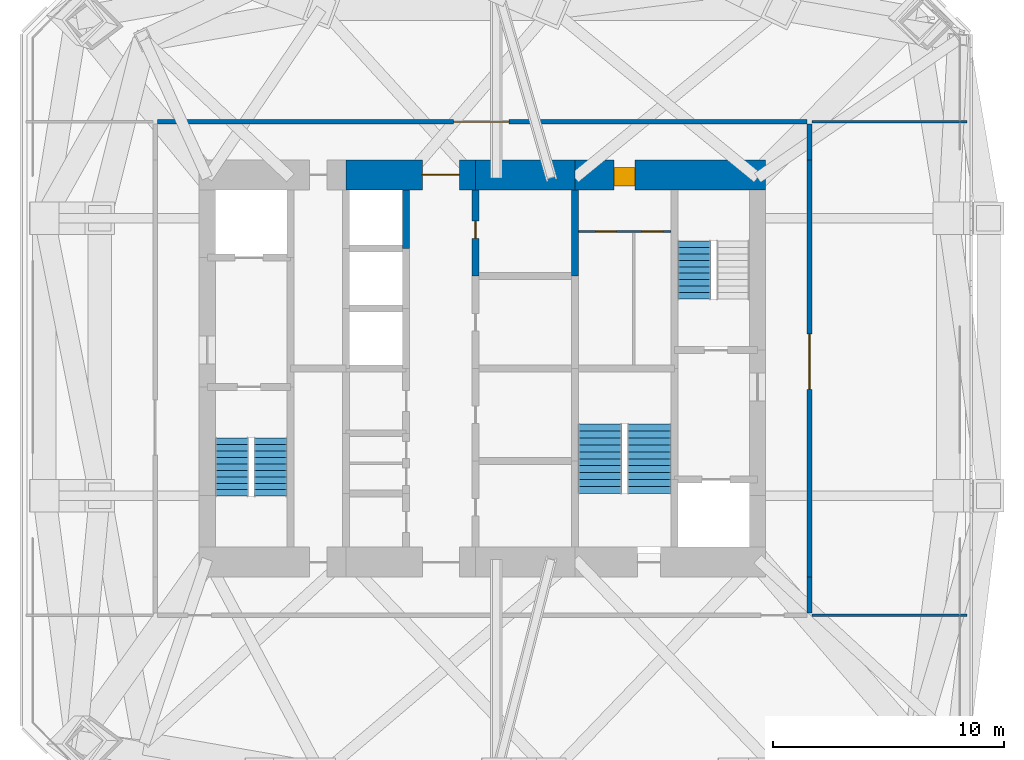
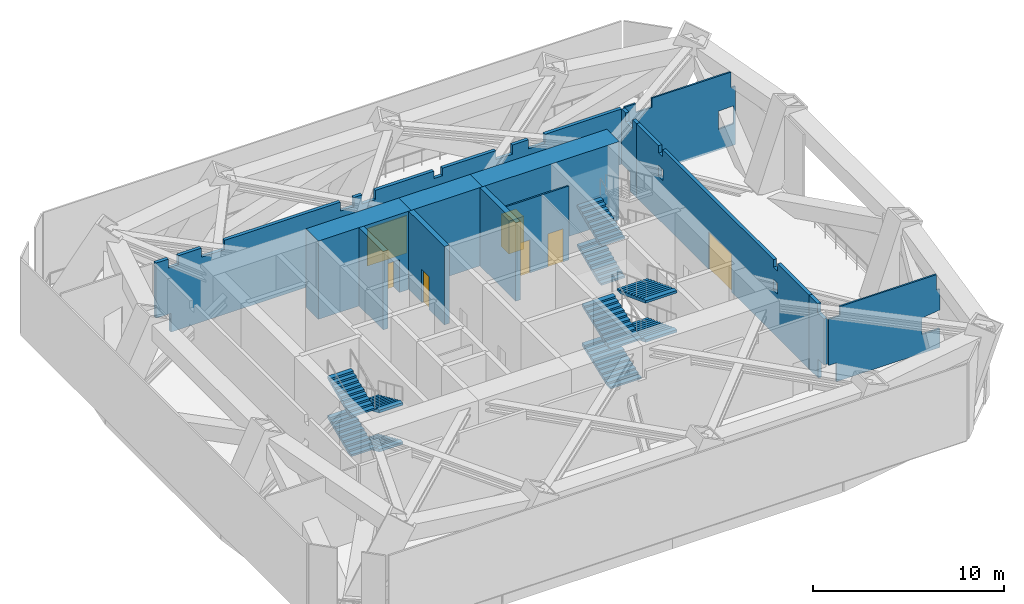
# One storey, part 5 of 8: 13 walls, 10 stair flights, 7 doors, 7 openings, 3 elements without a shape of their own.
"""IFC4 building model written with IfcOpenShell, lengths in metres."""

from ifc_helpers import new_model, si_unit, direction, frame, frame_2d, origin, place, context, subcontext, project, spatial, polyline, rectangle, outline, extrude, material, layer, layer_set, constituent, constituent_set, type_object, element, fill, aggregate, save


model = new_model("IFC4")

# Units and contexts
model_context = context("Model", 3, precision=1e-05, world=origin(), true_north=direction((0.0, 1.0)))
body_context = subcontext(model_context, "Body", "Model", "MODEL_VIEW")
ifc_project = project(units=[si_unit("LENGTHUNIT", "METRE"), si_unit("AREAUNIT", "SQUARE_METRE"), si_unit("VOLUMEUNIT", "CUBIC_METRE"), si_unit("PLANEANGLEUNIT", "RADIAN"), si_unit("MASSUNIT", "GRAM", prefix="KILO")], contexts=[model_context])

# Site, building, storey
site_placement = place(None, origin())
site = spatial("IfcSite", under=ifc_project, at=site_placement, CompositionType="ELEMENT")
building_placement = place(site_placement, origin())
building = spatial("IfcBuilding", under=site, at=building_placement, Name="Jalousie Tower", CompositionType="ELEMENT")
storey_placement = place(building_placement, frame((0.0, 0.0, 207.949951171875)))
storey = spatial("IfcBuildingStorey", under=building, at=storey_placement, Name="L57", CompositionType="ELEMENT", Elevation=207.949951171875)

# Wall, opening, door
ifc_material_1 = material(Name="Concrete f'c 120 MPa", Category="concrete")
ifc_layer_1 = layer(ifc_material_1, 1.300048828125)
ifc_layer_set_1 = layer_set([ifc_layer_1], Name="Concrete f'c 120 MPa")
wall_type_1 = type_object("IfcWallType", Name="CORE WALL 1300", PredefinedType="SHEAR", material=ifc_layer_set_1)
wall_1_placement = place(storey_placement, frame((44.14990234375, 26.875, 0.0), z_axis=(0.0, 0.0, 1.0), x_axis=(-1.0, 0.0, 0.0)))
wall_1 = element("IfcWall", 1, at=wall_1_placement, inside=storey, type_object=wall_type_1, Name="Core wall NA L57", PredefinedType="SHEAR", context=body_context, shape_type="SweptSolid", body=[
    extrude(rectangle(XDim=8.25, YDim=1.300048828125, at=frame_2d((4.125, 0.0))), origin(), (0.0, 0.0, 1.0), 5.0),
])
opening_1_placement = place(wall_1_placement, frame((5.64990234375, 0.0, 0.0)))
opening_1 = element("IfcOpeningElement", 2, at=opening_1_placement, cuts=wall_1, Name="Opening D25", PredefinedType="OPENING", context=body_context, shape_type="SweptSolid", body=[
    extrude(rectangle(XDim=0.89990234375, YDim=2.10009765625, at=frame_2d((0.449951171875, 1.050048828125))), frame((0.0, 0.659912109375, 0.0), z_axis=(0.0, -1.0, 0.0), x_axis=(1.0, 0.0, 0.0)), (0.0, 0.0, 1.0), 1.320068359375),
])
ifc_material_2 = material(Name="Steel fire door", Category="steel")
door_type_1 = type_object("IfcDoorType", Name="SERVICE LOBBY DOOR 900", OperationType="SINGLE_SWING_LEFT", PredefinedType="DOOR", material=ifc_material_2)
door_1_placement = place(opening_1_placement, origin())
door_1 = element("IfcDoor", 3, at=door_1_placement, inside=storey, type_object=door_type_1, Name="Service lobby door", OperationType="SINGLE_SWING_RIGHT", OverallHeight=2.10009765625, OverallWidth=0.89990234375, PredefinedType="DOOR", context=body_context, shape_type="SweptSolid", body=[
    extrude(rectangle(XDim=0.89990234375, YDim=2.10009765625, at=frame_2d((0.449951171875, 1.050048828125))), frame((0.0, 0.47021484375, 0.0), z_axis=(0.0, -1.0, 0.0), x_axis=(1.0, 0.0, 0.0)), (0.0, 0.0, 1.0), 0.800048828125),
])
fill(opening_1, door_1)

# Wall
wall_2_placement = place(storey_placement, frame((35.89990234375, 26.875, 0.0), z_axis=(0.0, 0.0, 1.0), x_axis=(-1.0, 0.0, 0.0)))
element("IfcWall", 4, at=wall_2_placement, inside=storey, type_object=wall_type_1, Name="Core wall NB L57", PredefinedType="SHEAR", context=body_context, shape_type="SweptSolid", body=[
    extrude(rectangle(XDim=4.2998046875, YDim=1.300048828125, at=frame_2d((2.14990234375, 0.0))), origin(), (0.0, 0.0, 1.0), 5.0),
])

# Wall, opening, door
wall_3_placement = place(storey_placement, frame((31.60009765625, 26.875, 0.0), z_axis=(0.0, 0.0, 1.0), x_axis=(-1.0, 0.0, 0.0)))
wall_3 = element("IfcWall", 5, at=wall_3_placement, inside=storey, type_object=wall_type_1, Name="Core wall NC L57", PredefinedType="SHEAR", context=body_context, shape_type="SweptSolid", body=[
    extrude(rectangle(XDim=5.60009765625, YDim=1.300048828125, at=frame_2d((2.800048828125, 0.0))), origin(), (0.0, 0.0, 1.0), 5.0),
])
opening_2_placement = place(wall_3_placement, frame((0.699951171875, 0.0, 0.0)))
opening_2 = element("IfcOpeningElement", 6, at=opening_2_placement, cuts=wall_3, Name="Opening D15", PredefinedType="OPENING", context=body_context, shape_type="SweptSolid", body=[
    extrude(rectangle(XDim=1.60009765625, YDim=2.10009765625, at=frame_2d((0.800048828125, 1.050048828125))), frame((0.0, 0.659912109375, 0.0), z_axis=(0.0, -1.0, 0.0), x_axis=(1.0, 0.0, 0.0)), (0.0, 0.0, 1.0), 1.320068359375),
])
ifc_material_3 = material(Name="Steel fire door", Category="steel")
door_type_2 = type_object("IfcDoorType", Name="LIFT LOBBY DOOR 1600", OperationType="DOUBLE_DOOR_SINGLE_SWING", PredefinedType="DOOR", material=ifc_material_3)
door_2_placement = place(opening_2_placement, origin())
door_2 = element("IfcDoor", 7, at=door_2_placement, inside=storey, type_object=door_type_2, Name="Lift lobby north door", OperationType="DOUBLE_DOOR_SINGLE_SWING", OverallHeight=2.10009765625, OverallWidth=1.60009765625, PredefinedType="DOOR", context=body_context, shape_type="SweptSolid", body=[
    extrude(rectangle(XDim=1.60009765625, YDim=2.10009765625, at=frame_2d((0.800048828125, 1.050048828125))), frame((0.0, 0.02490234375, 0.0), z_axis=(0.0, -1.0, 0.0), x_axis=(1.0, 0.0, 0.0)), (0.0, 0.0, 1.0), 0.050048828125),
])
fill(opening_2, door_2)

# Wall
ifc_material_4 = material(Name="Concrete f'c 120 MPa", Category="concrete")
ifc_layer_2 = layer(ifc_material_4, 0.300048828125)
ifc_layer_set_2 = layer_set([ifc_layer_2], Name="Concrete f'c 120 MPa")
wall_type_2 = type_object("IfcWallType", Name="CORE WALL 300", PredefinedType="SHEAR", material=ifc_layer_set_2)
wall_4_placement = place(storey_placement, frame((28.60009765625, 23.699951171875, 0.0), z_axis=(0.0, 0.0, 1.0), x_axis=(0.0, 1.0, 0.0)))
element("IfcWall", 8, at=wall_4_placement, inside=storey, type_object=wall_type_2, Name="Core wall X28.6F L57", PredefinedType="SHEAR", context=body_context, shape_type="SweptSolid", body=[
    extrude(rectangle(XDim=2.525146484375, YDim=0.300048828125, at=frame_2d((1.2626953125, 0.0))), origin(), (0.0, 0.0, 1.0), 5.0),
])

# Wall, opening, door
wall_5_placement = place(storey_placement, frame((31.60009765625, 22.5, 0.0), z_axis=(0.0, 0.0, 1.0), x_axis=(0.0, 1.0, 0.0)))
wall_5 = element("IfcWall", 9, at=wall_5_placement, inside=storey, type_object=wall_type_2, Name="Core wall X31.6D L57", PredefinedType="SHEAR", context=body_context, shape_type="SweptSolid", body=[
    extrude(rectangle(XDim=3.72509765625, YDim=0.300048828125, at=frame_2d((1.862548828125, 0.0))), origin(), (0.0, 0.0, 1.0), 5.0),
])
opening_3_placement = place(wall_5_placement, frame((1.625, 0.0, 0.0)))
opening_3 = element("IfcOpeningElement", 10, at=opening_3_placement, cuts=wall_5, Name="Opening D16", PredefinedType="OPENING", context=body_context, shape_type="SweptSolid", body=[
    extrude(rectangle(XDim=0.75, YDim=2.10009765625, at=frame_2d((0.375, 1.050048828125))), frame((0.0, 0.159912109375, 0.0), z_axis=(0.0, -1.0, 0.0), x_axis=(1.0, 0.0, 0.0)), (0.0, 0.0, 1.0), 0.320068359375),
])
ifc_material_5 = material(Name="Steel fire door", Category="steel")
door_type_3 = type_object("IfcDoorType", Name="RISER DOOR 750", OperationType="SINGLE_SWING_LEFT", PredefinedType="DOOR", material=ifc_material_5)
door_3_placement = place(opening_3_placement, frame((0.75, 0.0, 0.0), z_axis=(0.0, 0.0, 1.0), x_axis=(-1.0, 0.0, 0.0)))
door_3 = element("IfcDoor", 11, at=door_3_placement, inside=storey, type_object=door_type_3, Name="Water Services Room door", OperationType="SINGLE_SWING_LEFT", OverallHeight=2.10009765625, OverallWidth=0.75, PredefinedType="DOOR", context=body_context, shape_type="SweptSolid", body=[
    extrude(rectangle(XDim=0.75, YDim=2.10009765625, at=frame_2d((0.375, 1.050048828125))), frame((0.0, 0.02490234375, 0.0), z_axis=(0.0, -1.0, 0.0), x_axis=(1.0, 0.0, 0.0)), (0.0, 0.0, 1.0), 0.050048828125),
])
fill(opening_3, door_3)

# Walls
wall_6_placement = place(storey_placement, frame((35.89990234375, 22.5, 0.0), z_axis=(0.0, 0.0, 1.0), x_axis=(0.0, 1.0, 0.0)))
element("IfcWall", 12, at=wall_6_placement, inside=storey, type_object=wall_type_2, Name="Core wall X35.9D L57", PredefinedType="SHEAR", context=body_context, shape_type="SweptSolid", body=[
    extrude(rectangle(XDim=3.72509765625, YDim=0.300048828125, at=frame_2d((1.862548828125, 0.0))), origin(), (0.0, 0.0, 1.0), 5.0),
])
ifc_material_6 = material(Name="Concrete block ASTM C90", Category="concrete")
ifc_constituent_1 = constituent(ifc_material_6, Name="Body")
ifc_material_7 = material(Name="Render")
ifc_constituent_2 = constituent(ifc_material_7, Name="Finish")
ifc_constituent_set_1 = constituent_set(constituents=[ifc_constituent_1, ifc_constituent_2])
wall_type_3 = type_object("IfcWallType", Name="CORRIDOR WALL 200", PredefinedType="PARTITIONING", material=ifc_constituent_set_1)
wall_7_placement = place(storey_placement, frame((46.050048828125, 7.925048828125, 0.0), z_axis=(0.0, 0.0, 1.0), x_axis=(0.0, 1.0, 0.0)))
element("IfcWall", 13, at=wall_7_placement, inside=storey, type_object=wall_type_3, Name="Corridor Wall 200 L57", PredefinedType="PARTITIONING", context=body_context, shape_type="SweptSolid", body=[
    extrude(outline(polyline([(1.550048828125, 0.0), (1.550048828125, 4.719970703125), (0.66943359375, 4.719970703125), (0.66943359375, 4.140869140625), (0.0, 4.140869140625), (0.0, 1.199951171875), (0.608642578125, 1.199951171875), (0.608642578125, 0.0), (1.550048828125, 0.0)])), frame((0.0, 0.10009765625, 0.0), z_axis=(0.0, -1.0, 0.0), x_axis=(1.0, 0.0, 0.0)), (0.0, 0.0, 1.0), 0.199951171875),
])

# Wall, opening, door
wall_8_placement = place(storey_placement, frame((17.85009765625, 29.175048828125, 0.0), z_axis=(0.0, 0.0, 1.0), x_axis=(1.0, 0.0, 0.0)))
wall_8 = element("IfcWall", 14, at=wall_8_placement, inside=storey, type_object=wall_type_3, Name="Corridor Wall 200 L57", PredefinedType="PARTITIONING", context=body_context, shape_type="SweptSolid", body=[
    extrude(outline(polyline([(28.10009765625, 1.199951171875), (28.10009765625, 4.719970703125), (23.48046875, 4.719970703125), (23.48046875, 4.140869140625), (22.489990234375, 4.140869140625), (22.489990234375, 4.719970703125), (21.505615234375, 4.719970703125), (21.505615234375, 4.140869140625), (20.515869140625, 4.140869140625), (20.515869140625, 4.719970703125), (17.281494140625, 4.719970703125), (17.281494140625, 4.2451171875), (16.7685546875, 4.2451171875), (16.7685546875, 4.719970703125), (13.23193359375, 4.719970703125), (13.23193359375, 4.140869140625), (12.43701171875, 4.140869140625), (12.43701171875, 4.719970703125), (11.94775390625, 4.719970703125), (11.94775390625, 4.140869140625), (11.125732421875, 4.140869140625), (11.125732421875, 4.719970703125), (4.14306640625, 4.719970703125), (4.14306640625, 4.140869140625), (2.733154296875, 4.140869140625), (2.733154296875, 4.719970703125), (1.349853515625, 4.719970703125), (1.349853515625, 4.140869140625), (0.739501953125, 4.140869140625), (0.739501953125, 4.719970703125), (0.0, 4.719970703125), (0.0, 1.199951171875), (0.892333984375, 1.199951171875), (0.892333984375, 0.0), (27.5537109375, 0.0), (27.5537109375, 1.199951171875), (28.10009765625, 1.199951171875)]), holes=[polyline([(16.10595703125, 3.277587890625), (16.61669921875, 3.359130859375), (16.61669921875, 2.854736328125), (16.556396484375, 2.7275390625), (16.04541015625, 2.646240234375), (16.04541015625, 3.150390625), (16.10595703125, 3.277587890625)])]), frame((0.0, 0.10009765625, 0.0), z_axis=(0.0, -1.0, 0.0), x_axis=(1.0, 0.0, 0.0)), (0.0, 0.0, 1.0), 0.199951171875),
])
opening_4_placement = place(wall_8_placement, frame((12.800048828125, 0.0, 0.0)))
opening_4 = element("IfcOpeningElement", 15, at=opening_4_placement, cuts=wall_8, Name="Opening D9", PredefinedType="OPENING", context=body_context, shape_type="SweptSolid", body=[
    extrude(rectangle(XDim=2.39990234375, YDim=2.39990234375, at=frame_2d((1.199951171875, 1.199951171875))), frame((0.0, 0.10986328125, 0.0), z_axis=(0.0, -1.0, 0.0), x_axis=(1.0, 0.0, 0.0)), (0.0, 0.0, 1.0), 0.219970703125),
])
ifc_material_8 = material(Name="Steel fire door", Category="steel")
door_type_4 = type_object("IfcDoorType", Name="PLANT DOOR 2400", OperationType="DOUBLE_DOOR_SINGLE_SWING", PredefinedType="DOOR", material=ifc_material_8)
door_4_placement = place(opening_4_placement, origin())
door_4 = element("IfcDoor", 16, at=door_4_placement, inside=storey, type_object=door_type_4, Name="Mechanical plant room door", OperationType="DOUBLE_DOOR_SINGLE_SWING", OverallHeight=2.39990234375, OverallWidth=2.39990234375, PredefinedType="DOOR", context=body_context, shape_type="SweptSolid", body=[
    extrude(rectangle(XDim=2.39990234375, YDim=2.39990234375, at=frame_2d((1.199951171875, 1.199951171875))), frame((0.0, 0.02490234375, 0.0), z_axis=(0.0, -1.0, 0.0), x_axis=(1.0, 0.0, 0.0)), (0.0, 0.0, 1.0), 0.050048828125),
])
fill(opening_4, door_4)

# Wall
wall_9_placement = place(storey_placement, frame((46.050048828125, 27.52490234375, 0.0), z_axis=(0.0, 0.0, 1.0), x_axis=(0.0, 1.0, 0.0)))
element("IfcWall", 17, at=wall_9_placement, inside=storey, type_object=wall_type_3, Name="Corridor Wall 200 L57", PredefinedType="PARTITIONING", context=body_context, shape_type="SweptSolid", body=[
    extrude(outline(polyline([(1.550048828125, 1.199951171875), (1.550048828125, 4.719970703125), (1.130126953125, 4.719970703125), (1.130126953125, 4.140869140625), (0.418701171875, 4.140869140625), (0.418701171875, 4.719970703125), (0.0, 4.719970703125), (0.0, 0.0), (0.680908203125, 0.0), (0.680908203125, 1.199951171875), (1.550048828125, 1.199951171875)])), frame((0.0, 0.10009765625, 0.0), z_axis=(0.0, -1.0, 0.0), x_axis=(1.0, 0.0, 0.0)), (0.0, 0.0, 1.0), 0.199951171875),
])

# Wall, opening, door
wall_10_placement = place(storey_placement, frame((46.050048828125, 9.47509765625, 0.0), z_axis=(0.0, 0.0, 1.0), x_axis=(0.0, 1.0, 0.0)))
wall_10 = element("IfcWall", 18, at=wall_10_placement, inside=storey, type_object=wall_type_3, Name="Corridor Wall 200 L57", PredefinedType="PARTITIONING", context=body_context, shape_type="SweptSolid", body=[
    extrude(outline(polyline([(18.050048828125, 0.0), (18.050048828125, 4.719970703125), (15.737060546875, 4.719970703125), (15.737060546875, 4.2451171875), (15.31298828125, 4.2451171875), (15.31298828125, 4.719970703125), (3.737060546875, 4.719970703125), (3.737060546875, 4.2451171875), (3.31298828125, 4.2451171875), (3.31298828125, 4.719970703125), (0.0, 4.719970703125), (0.0, 0.0), (18.050048828125, 0.0)]), holes=[polyline([(3.302978515625, 2.7705078125), (3.302978515625, 3.46728515625), (3.7470703125, 3.46728515625), (3.7470703125, 2.7705078125), (3.302978515625, 2.7705078125)]), polyline([(15.302978515625, 2.7705078125), (15.302978515625, 3.46728515625), (15.7470703125, 3.46728515625), (15.7470703125, 2.7705078125), (15.302978515625, 2.7705078125)])]), frame((0.0, 0.10009765625, 0.0), z_axis=(0.0, -1.0, 0.0), x_axis=(1.0, 0.0, 0.0)), (0.0, 0.0, 1.0), 0.199951171875),
])
opening_5_placement = place(wall_10_placement, frame((8.125, 0.0, 0.0)))
opening_5 = element("IfcOpeningElement", 19, at=opening_5_placement, cuts=wall_10, Name="Opening D9", PredefinedType="OPENING", context=body_context, shape_type="SweptSolid", body=[
    extrude(rectangle(XDim=2.39990234375, YDim=2.39990234375, at=frame_2d((1.199951171875, 1.199951171875))), frame((0.0, 0.10986328125, 0.0), z_axis=(0.0, -1.0, 0.0), x_axis=(1.0, 0.0, 0.0)), (0.0, 0.0, 1.0), 0.219970703125),
])
door_5_placement = place(opening_5_placement, frame((2.39990234375, 0.0, 0.0), z_axis=(0.0, 0.0, 1.0), x_axis=(-1.0, 0.0, 0.0)))
door_5 = element("IfcDoor", 20, at=door_5_placement, inside=storey, type_object=door_type_4, Name="Water tank room door", OperationType="DOUBLE_DOOR_SINGLE_SWING", OverallHeight=2.39990234375, OverallWidth=2.39990234375, PredefinedType="DOOR", context=body_context, shape_type="SweptSolid", body=[
    extrude(rectangle(XDim=2.39990234375, YDim=2.39990234375, at=frame_2d((1.199951171875, 1.199951171875))), frame((0.0, 0.02490234375, 0.0), z_axis=(0.0, -1.0, 0.0), x_axis=(1.0, 0.0, 0.0)), (0.0, 0.0, 1.0), 0.050048828125),
])
fill(opening_5, door_5)

# Walls
ifc_material_9 = material(Name="Gypsum board", Category="gypsum")
ifc_constituent_3 = constituent(ifc_material_9, Name="Body")
ifc_material_10 = material(Name="Light-gauge steel studs ASTM A653 SS Grade 33", Category="steel")
ifc_constituent_4 = constituent(ifc_material_10, Name="Framing")
ifc_constituent_set_2 = constituent_set(constituents=[ifc_constituent_3, ifc_constituent_4])
wall_type_4 = type_object("IfcWallType", Name="PARTITION 100", PredefinedType="PARTITIONING", material=ifc_constituent_set_2)
wall_11_placement = place(storey_placement, frame((46.14990234375, 7.824951171875, 0.0), z_axis=(0.0, 0.0, 1.0), x_axis=(1.0, 0.0, 0.0)))
element("IfcWall", 21, at=wall_11_placement, inside=storey, type_object=wall_type_4, Name="Partition 100 L57", PredefinedType="PARTITIONING", context=body_context, shape_type="SweptSolid", body=[
    extrude(outline(polyline([(0.4580078125, 0.0), (6.699951171875, 0.0), (6.699951171875, 1.20263671875), (5.626220703125, 1.20263671875), (5.626220703125, 2.203857421875), (5.659912109375, 2.25732421875), (6.6142578125, 2.379150390625), (6.699951171875, 2.379150390625), (6.699951171875, 3.719970703125), (6.4990234375, 3.719970703125), (6.4990234375, 4.719970703125), (0.69140625, 4.719970703125), (0.69140625, 4.140869140625), (0.0, 4.140869140625), (0.0, 1.199951171875), (0.4580078125, 1.199951171875), (0.4580078125, 0.0)])), frame((0.0, 0.050048828125, 0.0), z_axis=(0.0, -1.0, 0.0), x_axis=(1.0, 0.0, 0.0)), (0.0, 0.0, 1.0), 0.10009765625),
])
wall_12_placement = place(storey_placement, frame((46.14990234375, 29.175048828125, 0.0), z_axis=(0.0, 0.0, 1.0), x_axis=(1.0, 0.0, 0.0)))
element("IfcWall", 22, at=wall_12_placement, inside=storey, type_object=wall_type_4, Name="Partition 100 L57", PredefinedType="PARTITIONING", context=body_context, shape_type="SweptSolid", body=[
    extrude(outline(polyline([(0.8115234375, 0.0), (6.699951171875, 0.0), (6.699951171875, 3.719970703125), (6.416259765625, 3.719970703125), (6.416259765625, 4.719970703125), (1.660400390625, 4.719970703125), (1.660400390625, 4.140869140625), (0.682373046875, 4.140869140625), (0.682373046875, 4.719970703125), (0.0, 4.719970703125), (0.0, 1.199951171875), (0.8115234375, 1.199951171875), (0.8115234375, 0.0)]), holes=[polyline([(5.664794921875, 1.328857421875), (5.664794921875, 2.4111328125), (5.671142578125, 2.4853515625), (6.591796875, 2.517822265625), (6.591796875, 1.435302734375), (6.58544921875, 1.361328125), (5.664794921875, 1.328857421875)])]), frame((0.0, 0.050048828125, 0.0), z_axis=(0.0, -1.0, 0.0), x_axis=(1.0, 0.0, 0.0)), (0.0, 0.0, 1.0), 0.10009765625),
])

# Wall, openings, doors
wall_13_placement = place(storey_placement, frame((36.050048828125, 24.425048828125, 0.0), z_axis=(0.0, 0.0, 1.0), x_axis=(1.0, 0.0, 0.0)))
wall_13 = element("IfcWall", 23, at=wall_13_placement, inside=storey, type_object=wall_type_4, Name="Partition 100 L57", PredefinedType="PARTITIONING", context=body_context, shape_type="SweptSolid", body=[
    extrude(rectangle(XDim=4.0, YDim=0.10009765625, at=frame_2d((2.0, 0.0))), origin(), (0.0, 0.0, 1.0), 4.719970703125),
])
opening_6_placement = place(wall_13_placement, frame((0.75, 0.0, 0.0)))
opening_6 = element("IfcOpeningElement", 24, at=opening_6_placement, cuts=wall_13, Name="Opening D7", PredefinedType="OPENING", context=body_context, shape_type="SweptSolid", body=[
    extrude(rectangle(XDim=0.89990234375, YDim=2.10009765625, at=frame_2d((0.449951171875, 1.050048828125))), frame((0.0, 0.06005859375, 0.0), z_axis=(0.0, -1.0, 0.0), x_axis=(1.0, 0.0, 0.0)), (0.0, 0.0, 1.0), 0.1201171875),
])
opening_7_placement = place(wall_13_placement, frame((2.75, 0.0, 0.0)))
opening_7 = element("IfcOpeningElement", 25, at=opening_7_placement, cuts=wall_13, Name="Opening D7", PredefinedType="OPENING", context=body_context, shape_type="SweptSolid", body=[
    extrude(rectangle(XDim=0.89990234375, YDim=2.10009765625, at=frame_2d((0.449951171875, 1.050048828125))), frame((0.0, 0.06005859375, 0.0), z_axis=(0.0, -1.0, 0.0), x_axis=(1.0, 0.0, 0.0)), (0.0, 0.0, 1.0), 0.1201171875),
])
ifc_material_11 = material(Name="Timber door", Category="wood")
door_type_5 = type_object("IfcDoorType", Name="INTERNAL DOOR 900", OperationType="SINGLE_SWING_LEFT", PredefinedType="DOOR", material=ifc_material_11)
door_6_placement = place(opening_6_placement, frame((0.89990234375, 0.0, 0.0), z_axis=(0.0, 0.0, 1.0), x_axis=(-1.0, 0.0, 0.0)))
door_6 = element("IfcDoor", 26, at=door_6_placement, inside=storey, type_object=door_type_5, Name="IT room door", OperationType="SINGLE_SWING_LEFT", OverallHeight=2.10009765625, OverallWidth=0.89990234375, PredefinedType="DOOR", context=body_context, shape_type="SweptSolid", body=[
    extrude(rectangle(XDim=0.89990234375, YDim=2.10009765625, at=frame_2d((0.449951171875, 1.050048828125))), frame((0.0, 0.02490234375, 0.0), z_axis=(0.0, -1.0, 0.0), x_axis=(1.0, 0.0, 0.0)), (0.0, 0.0, 1.0), 0.050048828125),
])
fill(opening_6, door_6)
door_7_placement = place(opening_7_placement, frame((0.89990234375, 0.0, 0.0), z_axis=(0.0, 0.0, 1.0), x_axis=(-1.0, 0.0, 0.0)))
door_7 = element("IfcDoor", 27, at=door_7_placement, inside=storey, type_object=door_type_5, Name="Staff WC door", OperationType="SINGLE_SWING_RIGHT", OverallHeight=2.10009765625, OverallWidth=0.89990234375, PredefinedType="DOOR", context=body_context, shape_type="SweptSolid", body=[
    extrude(rectangle(XDim=0.89990234375, YDim=2.10009765625, at=frame_2d((0.449951171875, 1.050048828125))), frame((0.0, 0.02490234375, 0.0), z_axis=(0.0, -1.0, 0.0), x_axis=(1.0, 0.0, 0.0)), (0.0, 0.0, 1.0), 0.050048828125),
])
fill(opening_7, door_7)

# Stair, stair flights
ifc_material_12 = material(Name="Concrete f'c 40 MPa", Category="concrete")
stair_type = type_object("IfcStairType", Name="EXIT STAIR", PredefinedType="HALF_TURN_STAIR", material=ifc_material_12)
stair_1_placement = place(storey_placement, origin())
stair_1 = element("IfcStair", 28, at=stair_1_placement, inside=storey, type_object=stair_type, Name="Exit stair A L57", PredefinedType="HALF_TURN_STAIR")
ifc_material_13 = material(Name="Concrete f'c 40 MPa", Category="concrete")
stair_flight_type = type_object("IfcStairFlightType", Name="STAIR FLIGHT", PredefinedType="STRAIGHT", material=ifc_material_13)
stair_flight_1_placement = place(storey_placement, frame((22.737548828125, 15.49755859375, 0.0), z_axis=(0.0, 0.0, 1.0), x_axis=(0.0, -1.0, 0.0)))
stair_flight_1 = element("IfcStairFlight", 29, at=stair_flight_1_placement, type_object=stair_flight_type, Name="ST-A flight 1", NumberOfRisers=10, NumberOfTreads=9, PredefinedType="STRAIGHT", RiserHeight=0.125, TreadLength=0.28, context=body_context, shape_type="SweptSolid", body=[
    extrude(outline(polyline([(0.0, 0.0), (0.0, 0.125), (0.280029296875, 0.125), (0.280029296875, 0.25), (0.56005859375, 0.25), (0.56005859375, 0.375), (0.840087890625, 0.375), (0.840087890625, 0.5), (1.1201171875, 0.5), (1.1201171875, 0.625), (1.39990234375, 0.625), (1.39990234375, 0.75), (1.679931640625, 0.75), (1.679931640625, 0.875), (1.9599609375, 0.875), (1.9599609375, 1.0), (2.239990234375, 1.0), (2.239990234375, 1.125), (2.52001953125, 1.125), (2.52001953125, 1.25), (2.52001953125, 0.9609375), (0.36767578125, 0.0), (0.0, 0.0)])), frame((0.0, 0.71240234375, 0.0), z_axis=(0.0, -1.0, 0.0), x_axis=(1.0, 0.0, 0.0)), (0.0, 0.0, 1.0), 1.425048828125),
])
stair_flight_2_placement = place(storey_placement, frame((21.0625, 12.9775390625, 1.25), z_axis=(0.0, 0.0, 1.0), x_axis=(0.0, 1.0, 0.0)))
stair_flight_2 = element("IfcStairFlight", 30, at=stair_flight_2_placement, type_object=stair_flight_type, Name="ST-A flight 2", NumberOfRisers=10, NumberOfTreads=9, PredefinedType="STRAIGHT", RiserHeight=0.125, TreadLength=0.28, context=body_context, shape_type="SweptSolid", body=[
    extrude(outline(polyline([(0.0, 0.0), (0.0, 0.125), (0.280029296875, 0.125), (0.280029296875, 0.25), (0.56005859375, 0.25), (0.56005859375, 0.375), (0.840087890625, 0.375), (0.840087890625, 0.5), (1.1201171875, 0.5), (1.1201171875, 0.625), (1.39990234375, 0.625), (1.39990234375, 0.75), (1.679931640625, 0.75), (1.679931640625, 0.875), (1.9599609375, 0.875), (1.9599609375, 1.0), (2.239990234375, 1.0), (2.239990234375, 1.125), (2.52001953125, 1.125), (2.52001953125, 1.25), (2.52001953125, 0.9609375), (0.36767578125, 0.0), (0.0, 0.0)])), frame((0.0, 0.71240234375, 0.0), z_axis=(0.0, -1.0, 0.0), x_axis=(1.0, 0.0, 0.0)), (0.0, 0.0, 1.0), 1.425048828125),
])
stair_flight_3_placement = place(storey_placement, frame((22.737548828125, 15.49755859375, 2.5), z_axis=(0.0, 0.0, 1.0), x_axis=(0.0, -1.0, 0.0)))
stair_flight_3 = element("IfcStairFlight", 31, at=stair_flight_3_placement, type_object=stair_flight_type, Name="ST-A flight 3", NumberOfRisers=10, NumberOfTreads=9, PredefinedType="STRAIGHT", RiserHeight=0.125, TreadLength=0.28, context=body_context, shape_type="SweptSolid", body=[
    extrude(outline(polyline([(0.0, 0.0), (0.0, 0.125), (0.280029296875, 0.125), (0.280029296875, 0.25), (0.56005859375, 0.25), (0.56005859375, 0.375), (0.840087890625, 0.375), (0.840087890625, 0.5), (1.1201171875, 0.5), (1.1201171875, 0.625), (1.39990234375, 0.625), (1.39990234375, 0.75), (1.679931640625, 0.75), (1.679931640625, 0.875), (1.9599609375, 0.875), (1.9599609375, 1.0), (2.239990234375, 1.0), (2.239990234375, 1.125), (2.52001953125, 1.125), (2.52001953125, 1.25), (2.52001953125, 0.9609375), (0.36767578125, 0.0), (0.0, 0.0)])), frame((0.0, 0.71240234375, 0.0), z_axis=(0.0, -1.0, 0.0), x_axis=(1.0, 0.0, 0.0)), (0.0, 0.0, 1.0), 1.425048828125),
])
stair_flight_4_placement = place(storey_placement, frame((21.0625, 12.9775390625, 3.75), z_axis=(0.0, 0.0, 1.0), x_axis=(0.0, 1.0, 0.0)))
stair_flight_4 = element("IfcStairFlight", 32, at=stair_flight_4_placement, type_object=stair_flight_type, Name="ST-A flight 4", NumberOfRisers=10, NumberOfTreads=9, PredefinedType="STRAIGHT", RiserHeight=0.125, TreadLength=0.28, context=body_context, shape_type="SweptSolid", body=[
    extrude(outline(polyline([(0.0, 0.0), (0.0, 0.125), (0.280029296875, 0.125), (0.280029296875, 0.25), (0.56005859375, 0.25), (0.56005859375, 0.375), (0.840087890625, 0.375), (0.840087890625, 0.5), (1.1201171875, 0.5), (1.1201171875, 0.625), (1.39990234375, 0.625), (1.39990234375, 0.75), (1.679931640625, 0.75), (1.679931640625, 0.875), (1.9599609375, 0.875), (1.9599609375, 1.0), (2.239990234375, 1.0), (2.239990234375, 1.125), (2.52001953125, 1.125), (2.52001953125, 1.25), (2.52001953125, 0.9609375), (0.36767578125, 0.0), (0.0, 0.0)])), frame((0.0, 0.71240234375, 0.0), z_axis=(0.0, -1.0, 0.0), x_axis=(1.0, 0.0, 0.0)), (0.0, 0.0, 1.0), 1.425048828125),
])
aggregate(stair_1, [stair_flight_1, stair_flight_2, stair_flight_3, stair_flight_4])

stair_2_placement = place(storey_placement, origin())
stair_2 = element("IfcStair", 33, at=stair_2_placement, inside=storey, type_object=stair_type, Name="Exit stair B L57", PredefinedType="HALF_TURN_STAIR")
stair_flight_5_placement = place(storey_placement, frame((41.0625, 21.50244140625, 0.0), z_axis=(0.0, 0.0, 1.0), x_axis=(0.0, 1.0, 0.0)))
stair_flight_5 = element("IfcStairFlight", 34, at=stair_flight_5_placement, type_object=stair_flight_type, Name="ST-B flight 1", NumberOfRisers=10, NumberOfTreads=9, PredefinedType="STRAIGHT", RiserHeight=0.125, TreadLength=0.28, context=body_context, shape_type="SweptSolid", body=[
    extrude(outline(polyline([(0.0, 0.0), (0.0, 0.125), (0.280029296875, 0.125), (0.280029296875, 0.25), (0.56005859375, 0.25), (0.56005859375, 0.375), (0.840087890625, 0.375), (0.840087890625, 0.5), (1.1201171875, 0.5), (1.1201171875, 0.625), (1.39990234375, 0.625), (1.39990234375, 0.75), (1.679931640625, 0.75), (1.679931640625, 0.875), (1.9599609375, 0.875), (1.9599609375, 1.0), (2.239990234375, 1.0), (2.239990234375, 1.125), (2.52001953125, 1.125), (2.52001953125, 1.25), (2.52001953125, 0.9609375), (0.36767578125, 0.0), (0.0, 0.0)])), frame((0.0, 0.71240234375, 0.0), z_axis=(0.0, -1.0, 0.0), x_axis=(1.0, 0.0, 0.0)), (0.0, 0.0, 1.0), 1.425048828125),
])
stair_flight_6_placement = place(storey_placement, frame((41.0625, 21.50244140625, 2.5), z_axis=(0.0, 0.0, 1.0), x_axis=(0.0, 1.0, 0.0)))
stair_flight_6 = element("IfcStairFlight", 35, at=stair_flight_6_placement, type_object=stair_flight_type, Name="ST-B flight 3", NumberOfRisers=10, NumberOfTreads=9, PredefinedType="STRAIGHT", RiserHeight=0.125, TreadLength=0.28, context=body_context, shape_type="SweptSolid", body=[
    extrude(outline(polyline([(0.0, 0.0), (0.0, 0.125), (0.280029296875, 0.125), (0.280029296875, 0.25), (0.56005859375, 0.25), (0.56005859375, 0.375), (0.840087890625, 0.375), (0.840087890625, 0.5), (1.1201171875, 0.5), (1.1201171875, 0.625), (1.39990234375, 0.625), (1.39990234375, 0.75), (1.679931640625, 0.75), (1.679931640625, 0.875), (1.9599609375, 0.875), (1.9599609375, 1.0), (2.239990234375, 1.0), (2.239990234375, 1.125), (2.52001953125, 1.125), (2.52001953125, 1.25), (2.52001953125, 0.9609375), (0.36767578125, 0.0), (0.0, 0.0)])), frame((0.0, 0.71240234375, 0.0), z_axis=(0.0, -1.0, 0.0), x_axis=(1.0, 0.0, 0.0)), (0.0, 0.0, 1.0), 1.425048828125),
])
aggregate(stair_2, [stair_flight_5, stair_flight_6])

stair_3_placement = place(storey_placement, origin())
stair_3 = element("IfcStair", 36, at=stair_3_placement, inside=storey, type_object=stair_type, Name="Exit stair C L57", PredefinedType="HALF_TURN_STAIR")
stair_flight_7_placement = place(storey_placement, frame((36.987548828125, 13.097412109375, 0.0), z_axis=(0.0, 0.0, 1.0), x_axis=(0.0, 1.0, 0.0)))
stair_flight_7 = element("IfcStairFlight", 37, at=stair_flight_7_placement, type_object=stair_flight_type, Name="ST-C flight 1", NumberOfRisers=11, NumberOfTreads=10, PredefinedType="STRAIGHT", RiserHeight=0.113636364, TreadLength=0.3, context=body_context, shape_type="SweptSolid", body=[
    extrude(outline(polyline([(0.0, 0.0), (0.0, 0.113525390625), (0.300048828125, 0.113525390625), (0.300048828125, 0.227294921875), (0.60009765625, 0.227294921875), (0.60009765625, 0.3408203125), (0.89990234375, 0.3408203125), (0.89990234375, 0.45458984375), (1.199951171875, 0.45458984375), (1.199951171875, 0.568115234375), (1.5, 0.568115234375), (1.5, 0.681884765625), (1.800048828125, 0.681884765625), (1.800048828125, 0.79541015625), (2.10009765625, 0.79541015625), (2.10009765625, 0.9091796875), (2.39990234375, 0.9091796875), (2.39990234375, 1.022705078125), (2.699951171875, 1.022705078125), (2.699951171875, 1.136474609375), (3.0, 1.136474609375), (3.0, 1.25), (3.0, 0.97607421875), (0.423095703125, 0.0), (0.0, 0.0)])), frame((0.0, 0.9375, 0.0), z_axis=(0.0, -1.0, 0.0), x_axis=(1.0, 0.0, 0.0)), (0.0, 0.0, 1.0), 1.875),
])
stair_flight_8_placement = place(storey_placement, frame((39.112548828125, 16.097412109375, 1.25), z_axis=(0.0, 0.0, 1.0), x_axis=(0.0, -1.0, 0.0)))
stair_flight_8 = element("IfcStairFlight", 38, at=stair_flight_8_placement, type_object=stair_flight_type, Name="ST-C flight 2", NumberOfRisers=11, NumberOfTreads=10, PredefinedType="STRAIGHT", RiserHeight=0.113636364, TreadLength=0.3, context=body_context, shape_type="SweptSolid", body=[
    extrude(outline(polyline([(0.0, 0.0), (0.0, 0.113525390625), (0.300048828125, 0.113525390625), (0.300048828125, 0.227294921875), (0.60009765625, 0.227294921875), (0.60009765625, 0.3408203125), (0.89990234375, 0.3408203125), (0.89990234375, 0.45458984375), (1.199951171875, 0.45458984375), (1.199951171875, 0.568115234375), (1.5, 0.568115234375), (1.5, 0.681884765625), (1.800048828125, 0.681884765625), (1.800048828125, 0.79541015625), (2.10009765625, 0.79541015625), (2.10009765625, 0.9091796875), (2.39990234375, 0.9091796875), (2.39990234375, 1.022705078125), (2.699951171875, 1.022705078125), (2.699951171875, 1.136474609375), (3.0, 1.136474609375), (3.0, 1.25), (3.0, 0.97607421875), (0.423095703125, 0.0), (0.0, 0.0)])), frame((0.0, 0.9375, 0.0), z_axis=(0.0, -1.0, 0.0), x_axis=(1.0, 0.0, 0.0)), (0.0, 0.0, 1.0), 1.875),
])
stair_flight_9_placement = place(storey_placement, frame((36.987548828125, 13.097412109375, 2.5), z_axis=(0.0, 0.0, 1.0), x_axis=(0.0, 1.0, 0.0)))
stair_flight_9 = element("IfcStairFlight", 39, at=stair_flight_9_placement, type_object=stair_flight_type, Name="ST-C flight 3", NumberOfRisers=11, NumberOfTreads=10, PredefinedType="STRAIGHT", RiserHeight=0.113636364, TreadLength=0.3, context=body_context, shape_type="SweptSolid", body=[
    extrude(outline(polyline([(0.0, 0.0), (0.0, 0.113525390625), (0.300048828125, 0.113525390625), (0.300048828125, 0.227294921875), (0.60009765625, 0.227294921875), (0.60009765625, 0.3408203125), (0.89990234375, 0.3408203125), (0.89990234375, 0.45458984375), (1.199951171875, 0.45458984375), (1.199951171875, 0.568115234375), (1.5, 0.568115234375), (1.5, 0.681884765625), (1.800048828125, 0.681884765625), (1.800048828125, 0.79541015625), (2.10009765625, 0.79541015625), (2.10009765625, 0.9091796875), (2.39990234375, 0.9091796875), (2.39990234375, 1.022705078125), (2.699951171875, 1.022705078125), (2.699951171875, 1.136474609375), (3.0, 1.136474609375), (3.0, 1.25), (3.0, 0.97607421875), (0.423095703125, 0.0), (0.0, 0.0)])), frame((0.0, 0.9375, 0.0), z_axis=(0.0, -1.0, 0.0), x_axis=(1.0, 0.0, 0.0)), (0.0, 0.0, 1.0), 1.875),
])
stair_flight_10_placement = place(storey_placement, frame((39.112548828125, 16.097412109375, 3.75), z_axis=(0.0, 0.0, 1.0), x_axis=(0.0, -1.0, 0.0)))
stair_flight_10 = element("IfcStairFlight", 40, at=stair_flight_10_placement, type_object=stair_flight_type, Name="ST-C flight 4", NumberOfRisers=11, NumberOfTreads=10, PredefinedType="STRAIGHT", RiserHeight=0.113636364, TreadLength=0.3, context=body_context, shape_type="SweptSolid", body=[
    extrude(outline(polyline([(0.0, 0.0), (0.0, 0.113525390625), (0.300048828125, 0.113525390625), (0.300048828125, 0.227294921875), (0.60009765625, 0.227294921875), (0.60009765625, 0.3408203125), (0.89990234375, 0.3408203125), (0.89990234375, 0.45458984375), (1.199951171875, 0.45458984375), (1.199951171875, 0.568115234375), (1.5, 0.568115234375), (1.5, 0.681884765625), (1.800048828125, 0.681884765625), (1.800048828125, 0.79541015625), (2.10009765625, 0.79541015625), (2.10009765625, 0.9091796875), (2.39990234375, 0.9091796875), (2.39990234375, 1.022705078125), (2.699951171875, 1.022705078125), (2.699951171875, 1.136474609375), (3.0, 1.136474609375), (3.0, 1.25), (3.0, 0.97607421875), (0.423095703125, 0.0), (0.0, 0.0)])), frame((0.0, 0.9375, 0.0), z_axis=(0.0, -1.0, 0.0), x_axis=(1.0, 0.0, 0.0)), (0.0, 0.0, 1.0), 1.875),
])
aggregate(stair_3, [stair_flight_7, stair_flight_8, stair_flight_9, stair_flight_10])

save(model, "model.ifc")
